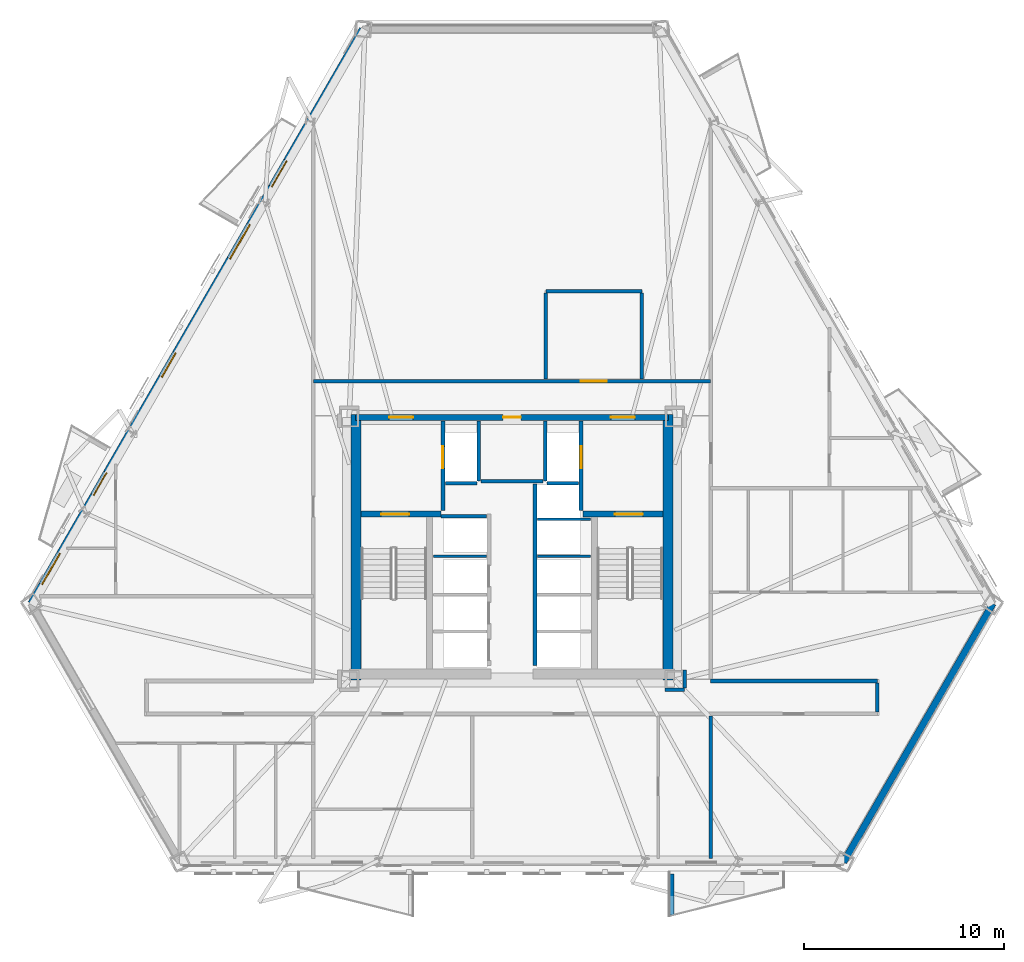
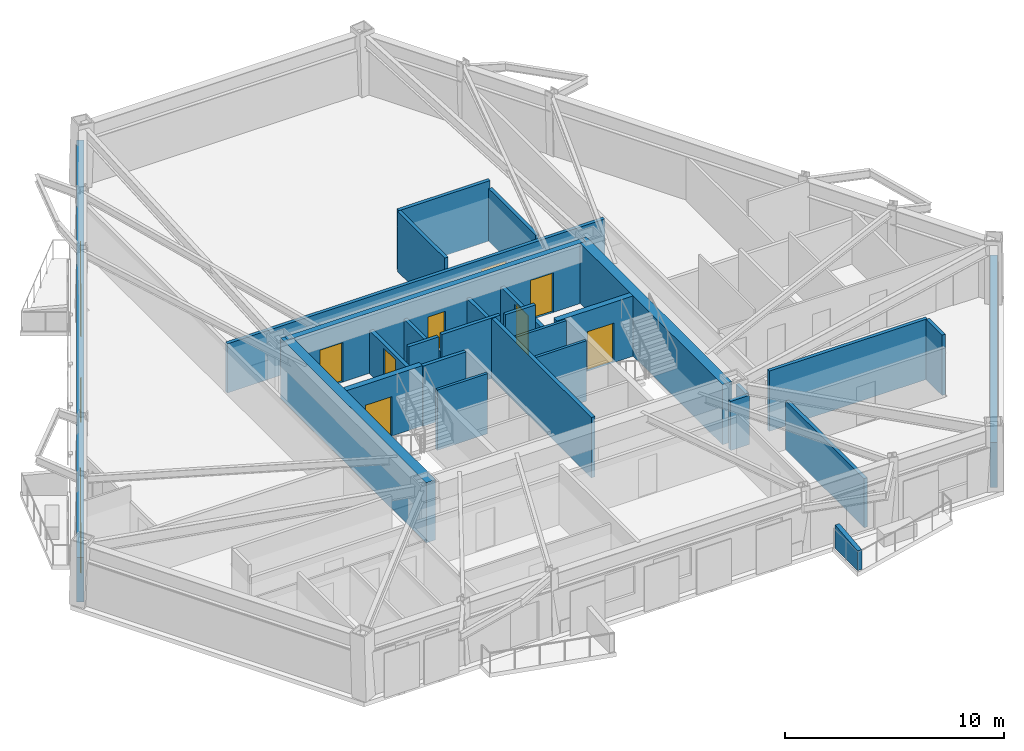
# One storey, part 4 of 12: 29 walls, 10 doors, 3 windows, 13 openings.
"""IFC4 building model written with IfcOpenShell, lengths in metres."""

from ifc_helpers import new_model, si_unit, direction, frame, frame_2d, origin, place, context, subcontext, project, spatial, polyline, rectangle, outline, extrude, material, layer, layer_set, type_object, element, fill, save


model = new_model("IFC4")

# Units and contexts
model_context = context("Model", 3, precision=1e-05, world=origin(), true_north=direction((0.0, 1.0)))
body_context = subcontext(model_context, "Body", "Model", "MODEL_VIEW")
ifc_project = project(units=[si_unit("LENGTHUNIT", "METRE"), si_unit("AREAUNIT", "SQUARE_METRE"), si_unit("VOLUMEUNIT", "CUBIC_METRE"), si_unit("PLANEANGLEUNIT", "RADIAN"), si_unit("MASSUNIT", "GRAM", prefix="KILO")], contexts=[model_context])

# Site, building, storey
site_placement = place(None, origin())
site = spatial("IfcSite", under=ifc_project, at=site_placement, CompositionType="ELEMENT")
building_placement = place(site_placement, origin())
building = spatial("IfcBuilding", under=site, at=building_placement, Name="Oramaril Tower", CompositionType="ELEMENT")
storey_placement = place(building_placement, frame((0.0, 0.0, 45.300048828125)))
storey = spatial("IfcBuildingStorey", under=building, at=storey_placement, Name="L11", CompositionType="ELEMENT", Elevation=45.300048828125)

# Wall
ifc_material_1 = material(Name="Warm Cream Limestone", Category="masonry")
ifc_layer_1 = layer(ifc_material_1, 0.340087890625)
ifc_layer_set_1 = layer_set([ifc_layer_1], Name="WT-EXT34")
wall_type_1 = type_object("IfcWallType", Name="WT-EXT34", PredefinedType="SOLIDWALL", material=ifc_layer_set_1)
wall_1_placement = place(storey_placement, frame((54.107177734375, 1.877685546875, 0.0), z_axis=(0.0, 0.0, 1.0), x_axis=(0.499989538455, 0.866031443676, 0.0)))
element("IfcWall", 1, at=wall_1_placement, inside=storey, type_object=wall_type_1, Name="L11 Tower Limestone Facade Wall 3M", PredefinedType="SOLIDWALL", context=body_context, shape_type="SweptSolid", body=[
    extrude(rectangle(XDim=14.954833984375, YDim=0.340087890625, at=frame_2d((7.4775390625, 0.0))), origin(), (0.0, 0.0, 1.0), 2.493896484375),
])

# Wall, openings, doors, windows
wall_2_placement = place(storey_placement, frame((30.022705078125, 43.59326171875, 0.0), z_axis=(0.0, 0.0, 1.0), x_axis=(-0.500004112523, -0.866023029405, 0.0)))
wall_2 = element("IfcWall", 2, at=wall_2_placement, inside=storey, type_object=wall_type_1, Name="L11 Tower Limestone Facade Wall 6M", PredefinedType="SOLIDWALL", context=body_context, shape_type="SweptSolid", body=[
    extrude(rectangle(XDim=33.214111328125, YDim=0.340087890625, at=frame_2d((16.60693359375, 0.0))), origin(), (0.0, 0.0, 1.0), 2.493896484375),
])
opening_1_placement = place(wall_2_placement, frame((7.614501953125, 0.0, 0.0)))
opening_1 = element("IfcOpeningElement", 3, at=opening_1_placement, cuts=wall_2, Name="Opening D-L11-BAL-NW1", PredefinedType="OPENING", context=body_context, shape_type="SweptSolid", body=[
    extrude(rectangle(XDim=1.5, YDim=2.199951171875, at=frame_2d((0.75, 1.10009765625))), frame((0.0, 0.169921875, 0.0), z_axis=(0.0, -1.0, 0.0), x_axis=(1.0, 0.0, 0.0)), (0.0, 0.0, 1.0), 0.340087890625),
])
opening_2_placement = place(wall_2_placement, frame((25.65478515625, 0.0, 0.0)))
opening_2 = element("IfcOpeningElement", 4, at=opening_2_placement, cuts=wall_2, Name="Opening D-L11-BAL-NW2", PredefinedType="OPENING", context=body_context, shape_type="SweptSolid", body=[
    extrude(rectangle(XDim=1.300048828125, YDim=2.199951171875, at=frame_2d((0.64990234375, 1.10009765625))), frame((0.0, 0.169921875, 0.0), z_axis=(0.0, -1.0, 0.0), x_axis=(1.0, 0.0, 0.0)), (0.0, 0.0, 1.0), 0.340087890625),
])
opening_3_placement = place(wall_2_placement, frame((11.29150390625, 0.0, 0.85009765625)))
opening_3 = element("IfcOpeningElement", 5, at=opening_3_placement, cuts=wall_2, Name="Opening WN-05", PredefinedType="OPENING", context=body_context, shape_type="SweptSolid", body=[
    extrude(rectangle(XDim=2.0, YDim=1.533935546875, at=frame_2d((1.0, 0.76708984375))), frame((0.0, 0.169921875, 0.0), z_axis=(0.0, -1.0, 0.0), x_axis=(1.0, 0.0, 0.0)), (0.0, 0.0, 1.0), 0.340087890625),
])
opening_4_placement = place(wall_2_placement, frame((18.73095703125, 0.0, 0.85009765625)))
opening_4 = element("IfcOpeningElement", 6, at=opening_4_placement, cuts=wall_2, Name="Opening WN-08", PredefinedType="OPENING", context=body_context, shape_type="SweptSolid", body=[
    extrude(rectangle(XDim=1.39990234375, YDim=1.533935546875, at=frame_2d((0.699951171875, 0.76708984375))), frame((0.0, 0.169921875, 0.0), z_axis=(0.0, -1.0, 0.0), x_axis=(1.0, 0.0, 0.0)), (0.0, 0.0, 1.0), 0.340087890625),
])
opening_5_placement = place(wall_2_placement, frame((30.31982421875, 0.0, 0.85009765625)))
opening_5 = element("IfcOpeningElement", 7, at=opening_5_placement, cuts=wall_2, Name="Opening WN-06", PredefinedType="OPENING", context=body_context, shape_type="SweptSolid", body=[
    extrude(rectangle(XDim=1.800048828125, YDim=1.533935546875, at=frame_2d((0.89990234375, 0.76708984375))), frame((0.0, 0.169921875, 0.0), z_axis=(0.0, -1.0, 0.0), x_axis=(1.0, 0.0, 0.0)), (0.0, 0.0, 1.0), 0.340087890625),
])
ifc_material_2 = material(Name="Anodised Aluminium 6063-T6", Category="aluminium")
door_type_1 = type_object("IfcDoorType", Name="DT-BAL", OperationType="NOTDEFINED", PredefinedType="DOOR", material=ifc_material_2)
door_1_placement = place(opening_1_placement, origin())
door_1 = element("IfcDoor", 8, at=door_1_placement, inside=storey, type_object=door_type_1, Name="L11 Balcony Glazed Door L11-BAL-NW1", OperationType="SINGLE_SWING_RIGHT", OverallHeight=2.199951171875, OverallWidth=1.5, PredefinedType="DOOR", context=body_context, shape_type="SweptSolid", body=[
    extrude(rectangle(XDim=1.5, YDim=2.199951171875, at=frame_2d((0.75, 1.10009765625))), frame((0.0, 0.02490234375, 0.0), z_axis=(0.0, -1.0, 0.0), x_axis=(1.0, 0.0, 0.0)), (0.0, 0.0, 1.0), 0.050048828125),
])
fill(opening_1, door_1)
ifc_material_3 = material(Name="Anodised Aluminium 6063-T6", Category="aluminium")
door_type_2 = type_object("IfcDoorType", Name="DT-E2", OperationType="NOTDEFINED", PredefinedType="DOOR", material=ifc_material_3)
door_2_placement = place(opening_2_placement, origin())
door_2 = element("IfcDoor", 9, at=door_2_placement, inside=storey, type_object=door_type_2, Name="L11 Balcony Glazed Door L11-BAL-NW2", OperationType="SINGLE_SWING_LEFT", OverallHeight=2.199951171875, OverallWidth=1.300048828125, PredefinedType="DOOR", context=body_context, shape_type="SweptSolid", body=[
    extrude(rectangle(XDim=1.300048828125, YDim=2.199951171875, at=frame_2d((0.64990234375, 1.10009765625))), frame((0.0, 0.02490234375, 0.0), z_axis=(0.0, -1.0, 0.0), x_axis=(1.0, 0.0, 0.0)), (0.0, 0.0, 1.0), 0.050048828125),
])
fill(opening_2, door_2)
ifc_material_4 = material(Name="Coastal Low-E Insulated Glass", Category="glass")
window_type_1 = type_object("IfcWindowType", Name="WNT-05", PartitioningType="SINGLE_PANEL", PredefinedType="WINDOW", material=ifc_material_4)
window_1_placement = place(opening_3_placement, origin())
window_1 = element("IfcWindow", 10, at=window_1_placement, inside=storey, type_object=window_type_1, Name="L11 Chicago Bay Window WN-05", OverallHeight=1.533935546875, OverallWidth=2.0, PartitioningType="SINGLE_PANEL", PredefinedType="WINDOW", context=body_context, shape_type="SweptSolid", body=[
    extrude(rectangle(XDim=2.0, YDim=1.533935546875, at=frame_2d((1.0, 0.76708984375))), frame((0.0, 0.030029296875, 0.0), z_axis=(0.0, -1.0, 0.0), x_axis=(1.0, 0.0, 0.0)), (0.0, 0.0, 1.0), 0.06005859375),
])
fill(opening_3, window_1)
ifc_material_5 = material(Name="Coastal Low-E Insulated Glass", Category="glass")
window_type_2 = type_object("IfcWindowType", Name="WNT-06", PartitioningType="SINGLE_PANEL", PredefinedType="WINDOW", material=ifc_material_5)
window_2_placement = place(opening_5_placement, origin())
window_2 = element("IfcWindow", 11, at=window_2_placement, inside=storey, type_object=window_type_2, Name="L11 Chicago Bay Window WN-06", OverallHeight=1.533935546875, OverallWidth=1.800048828125, PartitioningType="SINGLE_PANEL", PredefinedType="WINDOW", context=body_context, shape_type="SweptSolid", body=[
    extrude(rectangle(XDim=1.800048828125, YDim=1.533935546875, at=frame_2d((0.89990234375, 0.76708984375))), frame((0.0, 0.030029296875, 0.0), z_axis=(0.0, -1.0, 0.0), x_axis=(1.0, 0.0, 0.0)), (0.0, 0.0, 1.0), 0.06005859375),
])
fill(opening_5, window_2)
ifc_material_6 = material(Name="Coastal Low-E Insulated Glass", Category="glass")
window_type_3 = type_object("IfcWindowType", Name="WNT-08", PartitioningType="SINGLE_PANEL", PredefinedType="WINDOW", material=ifc_material_6)
window_3_placement = place(opening_4_placement, origin())
window_3 = element("IfcWindow", 12, at=window_3_placement, inside=storey, type_object=window_type_3, Name="L11 Chicago Bay Window WN-08", OverallHeight=1.533935546875, OverallWidth=1.39990234375, PartitioningType="SINGLE_PANEL", PredefinedType="WINDOW", context=body_context, shape_type="SweptSolid", body=[
    extrude(rectangle(XDim=1.39990234375, YDim=1.533935546875, at=frame_2d((0.699951171875, 0.76708984375))), frame((0.0, 0.030029296875, 0.0), z_axis=(0.0, -1.0, 0.0), x_axis=(1.0, 0.0, 0.0)), (0.0, 0.0, 1.0), 0.06005859375),
])
fill(opening_4, window_3)

# Walls
ifc_material_7 = material(Name="Concrete C40/50", Category="concrete")
ifc_layer_2 = layer(ifc_material_7, 0.22998046875)
ifc_layer_set_2 = layer_set([ifc_layer_2], Name="WT-PRP23")
wall_type_2 = type_object("IfcWallType", Name="WT-PRP23", PredefinedType="PARAPET", material=ifc_layer_set_2)
wall_3_placement = place(storey_placement, frame((45.502685546875, 1.27978515625, 0.0), z_axis=(0.0, 0.0, 1.0), x_axis=(0.0, -1.0, 0.0)))
element("IfcWall", 13, at=wall_3_placement, inside=storey, type_object=wall_type_2, Name="L11 Trapezoidal Balcony Frame Cheek L11-BAL-S2-L", PredefinedType="PARAPET", context=body_context, shape_type="SweptSolid", body=[
    extrude(outline(polyline([(0.0, 0.0), (2.0419921875, 0.0), (2.0419921875, 1.099853515625), (0.0, 1.320068359375), (0.0, 0.0)])), frame((0.0, 0.114990234375, 0.0), z_axis=(0.0, -1.0, 0.0), x_axis=(1.0, 0.0, 0.0)), (0.0, 0.0, 1.0), 0.22998046875),
])
ifc_material_8 = material(Name="Acoustic Gypsum Board Partition")
ifc_layer_3 = layer(ifc_material_8, 0.139892578125)
ifc_layer_set_3 = layer_set([ifc_layer_3], Name="WT-PT14")
wall_type_3 = type_object("IfcWallType", Name="WT-PT14", PredefinedType="PARTITIONING", material=ifc_layer_set_3)
for number, where, z_axis, x_axis, name in (
    (14, (33.56005859375, 17.199951171875, 0.0), (0.0, 0.0, 1.0), (1.0, 0.0, 0.0), "L11 West Lift Divider"),
    (15, (38.780029296875, 17.199951171875, 0.0), (0.0, 0.0, 1.0), (1.0, 0.0, 0.0), "L11 East Lift Divider"),
    (16, (38.780029296875, 19.050048828125, 0.0), (0.0, 0.0, 1.0), (1.0, 0.0, 0.0), "L11 East Lift Divider"),
):
    element("IfcWall", number, at=place(storey_placement, frame(where, z_axis=z_axis, x_axis=x_axis)), inside=storey, type_object=wall_type_3, Name=name, PredefinedType="PARTITIONING", context=body_context, shape_type="SweptSolid", body=[
        extrude(rectangle(XDim=2.659912109375, YDim=0.139892578125, at=frame_2d((1.330078125, 0.0))), origin(), (0.0, 0.0, 1.0), 3.35986328125),
    ])
ifc_material_9 = material(Name="Autoclaved Cellular Concrete Block", Category="concrete")
ifc_layer_4 = layer(ifc_material_9, 0.179931640625)
ifc_layer_set_4 = layer_set([ifc_layer_4], Name="WT-PT18")
wall_type_4 = type_object("IfcWallType", Name="WT-PT18", PredefinedType="PARTITIONING", material=ifc_layer_set_4)
wall_4_placement = place(storey_placement, frame((35.840087890625, 20.9599609375, 0.0), z_axis=(0.0, 0.0, 1.0), x_axis=(0.0, 1.0, 0.0)))
element("IfcWall", 17, at=wall_4_placement, inside=storey, type_object=wall_type_4, Name="L11 FL-1 East Shaft Wall", PredefinedType="PARTITIONING", context=body_context, shape_type="SweptSolid", body=[
    extrude(rectangle(XDim=3.02001953125, YDim=0.179931640625, at=frame_2d((1.510009765625, 0.0))), origin(), (0.0, 0.0, 1.0), 2.39990234375),
])
wall_5_placement = place(storey_placement, frame((34.159912109375, 20.860107421875, 0.0), z_axis=(0.0, 0.0, 1.0), x_axis=(1.0, 0.0, 0.0)))
element("IfcWall", 18, at=wall_5_placement, inside=storey, type_object=wall_type_4, Name="L11 FL-1 South Shaft Wall", PredefinedType="PARTITIONING", context=body_context, shape_type="SweptSolid", body=[
    extrude(rectangle(XDim=1.580078125, YDim=0.179931640625, at=frame_2d((0.7900390625, 0.0))), origin(), (0.0, 0.0, 1.0), 3.35986328125),
])
wall_6_placement = place(storey_placement, frame((39.159912109375, 20.9599609375, 0.0), z_axis=(0.0, 0.0, 1.0), x_axis=(0.0, 1.0, 0.0)))
element("IfcWall", 19, at=wall_6_placement, inside=storey, type_object=wall_type_4, Name="L11 FL-2 West Shaft Wall", PredefinedType="PARTITIONING", context=body_context, shape_type="SweptSolid", body=[
    extrude(rectangle(XDim=3.02001953125, YDim=0.179931640625, at=frame_2d((1.510009765625, 0.0))), origin(), (0.0, 0.0, 1.0), 2.39990234375),
])
wall_7_placement = place(storey_placement, frame((39.260009765625, 20.860107421875, 0.0), z_axis=(0.0, 0.0, 1.0), x_axis=(1.0, 0.0, 0.0)))
element("IfcWall", 20, at=wall_7_placement, inside=storey, type_object=wall_type_4, Name="L11 FL-2 South Shaft Wall", PredefinedType="PARTITIONING", context=body_context, shape_type="SweptSolid", body=[
    extrude(rectangle(XDim=1.580078125, YDim=0.179931640625, at=frame_2d((0.7900390625, 0.0))), origin(), (0.0, 0.0, 1.0), 3.35986328125),
])
wall_8_placement = place(storey_placement, frame((33.949951171875, 19.199951171875, 0.0), z_axis=(0.0, 0.0, 1.0), x_axis=(1.0, 0.0, 0.0)))
element("IfcWall", 21, at=wall_8_placement, inside=storey, type_object=wall_type_4, Name="L11 High-Rise Lift H1 North Shaft Wall", PredefinedType="PARTITIONING", context=body_context, shape_type="SweptSolid", body=[
    extrude(rectangle(XDim=2.27001953125, YDim=0.179931640625, at=frame_2d((1.135009765625, 0.0))), origin(), (0.0, 0.0, 1.0), 3.35986328125),
])
wall_9_placement = place(storey_placement, frame((35.949951171875, 20.949951171875, 0.0), z_axis=(0.0, 0.0, 1.0), x_axis=(1.0, 0.0, 0.0)))
element("IfcWall", 22, at=wall_9_placement, inside=storey, type_object=wall_type_4, Name="L11 Lift Lobby North Partition", PredefinedType="PARTITIONING", context=body_context, shape_type="SweptSolid", body=[
    extrude(rectangle(XDim=3.10009765625, YDim=0.179931640625, at=frame_2d((1.550048828125, 0.0))), origin(), (0.0, 0.0, 1.0), 3.35986328125),
])
wall_10_placement = place(storey_placement, frame((45.159912109375, 10.510009765625, 0.0), z_axis=(0.0, 0.0, 1.0), x_axis=(1.0, 0.0, 0.0)))
element("IfcWall", 23, at=wall_10_placement, inside=storey, type_object=wall_type_4, Name="L11 Interior Partition PT-18", PredefinedType="PARTITIONING", context=body_context, shape_type="SweptSolid", body=[
    extrude(rectangle(XDim=0.97998046875, YDim=0.179931640625, at=frame_2d((0.489990234375, 0.0))), origin(), (0.0, 0.0, 1.0), 2.738037109375),
])
wall_11_placement = place(storey_placement, frame((47.449951171875, 10.949951171875, 0.0), z_axis=(0.0, 0.0, 1.0), x_axis=(1.0, 0.0, 0.0)))
element("IfcWall", 24, at=wall_11_placement, inside=storey, type_object=wall_type_4, Name="L11 Interior Partition PT-18", PredefinedType="PARTITIONING", context=body_context, shape_type="SweptSolid", body=[
    extrude(rectangle(XDim=8.35009765625, YDim=0.179931640625, at=frame_2d((4.175048828125, 0.0))), origin(), (0.0, 0.0, 1.0), 3.35986328125),
])

# Wall, opening, door
wall_12_placement = place(storey_placement, frame((27.550048828125, 25.969970703125, 0.0), z_axis=(0.0, 0.0, 1.0), x_axis=(1.0, 0.0, 0.0)))
wall_12 = element("IfcWall", 25, at=wall_12_placement, inside=storey, type_object=wall_type_4, Name="L11 Interior Partition PT-18", PredefinedType="PARTITIONING", context=body_context, shape_type="SweptSolid", body=[
    extrude(rectangle(XDim=19.89990234375, YDim=0.179931640625, at=frame_2d((9.949951171875, 0.0))), origin(), (0.0, 0.0, 1.0), 2.738037109375),
])
opening_6_placement = place(wall_12_placement, frame((13.39990234375, 0.0, 0.0)))
opening_6 = element("IfcOpeningElement", 26, at=opening_6_placement, cuts=wall_12, Name="Opening D-L11-15", PredefinedType="OPENING", context=body_context, shape_type="SweptSolid", body=[
    extrude(rectangle(XDim=1.300048828125, YDim=2.199951171875, at=frame_2d((0.64990234375, 1.10009765625))), frame((0.0, 0.08984375, 0.0), z_axis=(0.0, -1.0, 0.0), x_axis=(1.0, 0.0, 0.0)), (0.0, 0.0, 1.0), 0.179931640625),
])
ifc_material_10 = material(Name="FSC Brazilian Freijo Hardwood", Category="wood")
door_type_3 = type_object("IfcDoorType", Name="DT-COM", OperationType="NOTDEFINED", PredefinedType="DOOR", material=ifc_material_10)
door_3_placement = place(opening_6_placement, origin())
door_3 = element("IfcDoor", 27, at=door_3_placement, inside=storey, type_object=door_type_3, Name="L11 L11 Residents Floor Meeting Suite Door D-L11-15", OperationType="SINGLE_SWING_RIGHT", OverallHeight=2.199951171875, OverallWidth=1.300048828125, PredefinedType="DOOR", context=body_context, shape_type="SweptSolid", body=[
    extrude(rectangle(XDim=1.300048828125, YDim=2.199951171875, at=frame_2d((0.64990234375, 1.10009765625))), frame((0.0, 0.02490234375, 0.0), z_axis=(0.0, -1.0, 0.0), x_axis=(1.0, 0.0, 0.0)), (0.0, 0.0, 1.0), 0.050048828125),
])
fill(opening_6, door_3)

# Walls
wall_13_placement = place(storey_placement, frame((39.199951171875, 30.469970703125, 0.0), z_axis=(0.0, 0.0, 1.0), x_axis=(1.0, 0.0, 0.0)))
element("IfcWall", 28, at=wall_13_placement, inside=storey, type_object=wall_type_4, Name="L11 Interior Partition PT-18", PredefinedType="PARTITIONING", context=body_context, shape_type="SweptSolid", body=[
    extrude(rectangle(XDim=4.800048828125, YDim=0.179931640625, at=frame_2d((2.39990234375, 0.0))), origin(), (0.0, 0.0, 1.0), 3.35986328125),
])
wall_14_placement = place(storey_placement, frame((39.199951171875, 26.06396484375, 0.0), z_axis=(0.0, 0.0, 1.0), x_axis=(0.0, 1.0, 0.0)))
element("IfcWall", 29, at=wall_14_placement, inside=storey, type_object=wall_type_4, Name="L11 Interior Partition PT-18", PredefinedType="PARTITIONING", context=body_context, shape_type="SweptSolid", body=[
    extrude(rectangle(XDim=4.31201171875, YDim=0.179931640625, at=frame_2d((2.156005859375, 0.0))), origin(), (0.0, 0.0, 1.0), 3.35986328125),
])
wall_15_placement = place(storey_placement, frame((44.0, 26.06396484375, 0.0), z_axis=(0.0, 0.0, 1.0), x_axis=(0.0, 1.0, 0.0)))
element("IfcWall", 30, at=wall_15_placement, inside=storey, type_object=wall_type_4, Name="L11 Interior Partition PT-18", PredefinedType="PARTITIONING", context=body_context, shape_type="SweptSolid", body=[
    extrude(rectangle(XDim=4.31201171875, YDim=0.179931640625, at=frame_2d((2.156005859375, 0.0))), origin(), (0.0, 0.0, 1.0), 2.946044921875),
])
wall_16_placement = place(storey_placement, frame((46.14990234375, 10.60400390625, 0.0), z_axis=(0.0, 0.0, 1.0), x_axis=(0.0, 1.0, 0.0)))
element("IfcWall", 31, at=wall_16_placement, inside=storey, type_object=wall_type_4, Name="L11 Interior Partition PT-18", PredefinedType="PARTITIONING", context=body_context, shape_type="SweptSolid", body=[
    extrude(rectangle(XDim=0.89111328125, YDim=0.179931640625, at=frame_2d((0.445556640625, 0.0))), origin(), (0.0, 0.0, 1.0), 2.738037109375),
])
wall_17_placement = place(storey_placement, frame((47.449951171875, 2.0517578125, 0.0), z_axis=(0.0, 0.0, 1.0), x_axis=(0.0, 1.0, 0.0)))
element("IfcWall", 32, at=wall_17_placement, inside=storey, type_object=wall_type_4, Name="L11 Interior Partition PT-18", PredefinedType="PARTITIONING", context=body_context, shape_type="SweptSolid", body=[
    extrude(rectangle(XDim=7.154296875, YDim=0.179931640625, at=frame_2d((3.5771484375, 0.0))), origin(), (0.0, 0.0, 1.0), 2.738037109375),
])
wall_18_placement = place(storey_placement, frame((55.800048828125, 9.39404296875, 0.0), z_axis=(0.0, 0.0, 1.0), x_axis=(0.0, 1.0, 0.0)))
element("IfcWall", 33, at=wall_18_placement, inside=storey, type_object=wall_type_4, Name="L11 Interior Partition PT-18", PredefinedType="PARTITIONING", context=body_context, shape_type="SweptSolid", body=[
    extrude(rectangle(XDim=1.4619140625, YDim=0.179931640625, at=frame_2d((0.73095703125, 0.0))), origin(), (0.0, 0.0, 1.0), 3.35986328125),
])

# Wall, openings, doors
ifc_material_11 = material(Name="Concrete C50/60", Category="concrete")
ifc_layer_5 = layer(ifc_material_11, 0.300048828125)
ifc_layer_set_5 = layer_set([ifc_layer_5], Name="WT-SH30")
wall_type_5 = type_object("IfcWallType", Name="WT-SH30", PredefinedType="SHEAR", material=ifc_layer_set_5)
wall_19_placement = place(storey_placement, frame((29.64990234375, 24.14990234375, 0.0), z_axis=(0.0, 0.0, 1.0), x_axis=(1.0, 0.0, 0.0)))
wall_19 = element("IfcWall", 34, at=wall_19_placement, inside=storey, type_object=wall_type_5, Name="L11 Core Shear Wall CW-N", PredefinedType="SHEAR", context=body_context, shape_type="SweptSolid", body=[
    extrude(rectangle(XDim=15.7001953125, YDim=0.300048828125, at=frame_2d((7.85009765625, 0.0))), origin(), (0.0, 0.0, 1.0), 3.35986328125),
])
opening_7_placement = place(wall_19_placement, frame((1.699951171875, 0.0, 0.0)))
opening_7 = element("IfcOpeningElement", 35, at=opening_7_placement, cuts=wall_19, Name="Opening D-L11-FFL1", PredefinedType="OPENING", context=body_context, shape_type="SweptSolid", body=[
    extrude(rectangle(XDim=1.199951171875, YDim=2.199951171875, at=frame_2d((0.60009765625, 1.10009765625))), frame((0.0, 0.14990234375, 0.0), z_axis=(0.0, -1.0, 0.0), x_axis=(1.0, 0.0, 0.0)), (0.0, 0.0, 1.0), 0.300048828125),
])
opening_8_placement = place(wall_19_placement, frame((12.800048828125, 0.0, 0.0)))
opening_8 = element("IfcOpeningElement", 36, at=opening_8_placement, cuts=wall_19, Name="Opening D-L11-FFL2", PredefinedType="OPENING", context=body_context, shape_type="SweptSolid", body=[
    extrude(rectangle(XDim=1.199951171875, YDim=2.199951171875, at=frame_2d((0.60009765625, 1.10009765625))), frame((0.0, 0.14990234375, 0.0), z_axis=(0.0, -1.0, 0.0), x_axis=(1.0, 0.0, 0.0)), (0.0, 0.0, 1.0), 0.300048828125),
])
opening_9_placement = place(wall_19_placement, frame((7.39990234375, 0.0, 0.0)))
opening_9 = element("IfcOpeningElement", 37, at=opening_9_placement, cuts=wall_19, Name="Opening D-L11-SV1", PredefinedType="OPENING", context=body_context, shape_type="SweptSolid", body=[
    extrude(rectangle(XDim=0.89990234375, YDim=2.050048828125, at=frame_2d((0.449951171875, 1.02490234375))), frame((0.0, 0.14990234375, 0.0), z_axis=(0.0, -1.0, 0.0), x_axis=(1.0, 0.0, 0.0)), (0.0, 0.0, 1.0), 0.300048828125),
])
ifc_material_12 = material(Name="Painted Galvanised Steel", Category="steel")
door_type_4 = type_object("IfcDoorType", Name="DT-FFL", OperationType="NOTDEFINED", PredefinedType="DOOR", material=ifc_material_12)
door_4_placement = place(opening_7_placement, origin())
door_4 = element("IfcDoor", 38, at=door_4_placement, inside=storey, type_object=door_type_4, Name="L11 Firefighting Lobby 1 Fire Door", OperationType="SINGLE_SWING_LEFT", OverallHeight=2.199951171875, OverallWidth=1.199951171875, PredefinedType="DOOR", context=body_context, shape_type="SweptSolid", body=[
    extrude(rectangle(XDim=1.199951171875, YDim=2.199951171875, at=frame_2d((0.60009765625, 1.10009765625))), frame((0.0, 0.02490234375, 0.0), z_axis=(0.0, -1.0, 0.0), x_axis=(1.0, 0.0, 0.0)), (0.0, 0.0, 1.0), 0.050048828125),
])
fill(opening_7, door_4)
door_5_placement = place(opening_8_placement, origin())
door_5 = element("IfcDoor", 39, at=door_5_placement, inside=storey, type_object=door_type_4, Name="L11 Firefighting Lobby 2 Fire Door", OperationType="SINGLE_SWING_RIGHT", OverallHeight=2.199951171875, OverallWidth=1.199951171875, PredefinedType="DOOR", context=body_context, shape_type="SweptSolid", body=[
    extrude(rectangle(XDim=1.199951171875, YDim=2.199951171875, at=frame_2d((0.60009765625, 1.10009765625))), frame((0.0, 0.02490234375, 0.0), z_axis=(0.0, -1.0, 0.0), x_axis=(1.0, 0.0, 0.0)), (0.0, 0.0, 1.0), 0.050048828125),
])
fill(opening_8, door_5)
ifc_material_13 = material(Name="Painted Galvanised Steel", Category="steel")
door_type_5 = type_object("IfcDoorType", Name="DT-SVC", OperationType="NOTDEFINED", PredefinedType="DOOR", material=ifc_material_13)
door_6_placement = place(opening_9_placement, origin())
door_6 = element("IfcDoor", 40, at=door_6_placement, inside=storey, type_object=door_type_5, Name="L11 Core Janitor Store Door", OperationType="SINGLE_SWING_LEFT", OverallHeight=2.050048828125, OverallWidth=0.89990234375, PredefinedType="DOOR", context=body_context, shape_type="SweptSolid", body=[
    extrude(rectangle(XDim=0.89990234375, YDim=2.050048828125, at=frame_2d((0.449951171875, 1.02490234375))), frame((0.0, 0.02490234375, 0.0), z_axis=(0.0, -1.0, 0.0), x_axis=(1.0, 0.0, 0.0)), (0.0, 0.0, 1.0), 0.050048828125),
])
fill(opening_9, door_6)

# Wall, opening, door
wall_20_placement = place(storey_placement, frame((29.93994140625, 19.31005859375, 0.0), z_axis=(0.0, 0.0, 1.0), x_axis=(1.0, 0.0, 0.0)))
wall_20 = element("IfcWall", 41, at=wall_20_placement, inside=storey, type_object=wall_type_5, Name="L11 Core Shear Wall CW-ST1N", PredefinedType="SHEAR", context=body_context, shape_type="SweptSolid", body=[
    extrude(rectangle(XDim=4.010009765625, YDim=0.300048828125, at=frame_2d((2.0048828125, 0.0))), origin(), (0.0, 0.0, 1.0), 3.35986328125),
])
opening_10_placement = place(wall_20_placement, frame((1.010009765625, 0.0, 0.0)))
opening_10 = element("IfcOpeningElement", 42, at=opening_10_placement, cuts=wall_20, Name="Opening D-L11-ST1", PredefinedType="OPENING", context=body_context, shape_type="SweptSolid", body=[
    extrude(rectangle(XDim=1.39990234375, YDim=2.199951171875, at=frame_2d((0.699951171875, 1.10009765625))), frame((0.0, 0.14990234375, 0.0), z_axis=(0.0, -1.0, 0.0), x_axis=(1.0, 0.0, 0.0)), (0.0, 0.0, 1.0), 0.300048828125),
])
ifc_material_14 = material(Name="Painted Galvanised Steel", Category="steel")
door_type_6 = type_object("IfcDoorType", Name="DT-ST", OperationType="NOTDEFINED", PredefinedType="DOOR", material=ifc_material_14)
door_7_placement = place(opening_10_placement, origin())
door_7 = element("IfcDoor", 43, at=door_7_placement, inside=storey, type_object=door_type_6, Name="L11 Protected Stair ST-1 Fire Door", OperationType="SINGLE_SWING_LEFT", OverallHeight=2.199951171875, OverallWidth=1.39990234375, PredefinedType="DOOR", context=body_context, shape_type="SweptSolid", body=[
    extrude(rectangle(XDim=1.39990234375, YDim=2.199951171875, at=frame_2d((0.699951171875, 1.10009765625))), frame((0.0, 0.02490234375, 0.0), z_axis=(0.0, -1.0, 0.0), x_axis=(1.0, 0.0, 0.0)), (0.0, 0.0, 1.0), 0.050048828125),
])
fill(opening_10, door_7)

wall_21_placement = place(storey_placement, frame((41.050048828125, 19.31005859375, 0.0), z_axis=(0.0, 0.0, 1.0), x_axis=(1.0, 0.0, 0.0)))
wall_21 = element("IfcWall", 44, at=wall_21_placement, inside=storey, type_object=wall_type_5, Name="L11 Core Shear Wall CW-ST2N", PredefinedType="SHEAR", context=body_context, shape_type="SweptSolid", body=[
    extrude(rectangle(XDim=4.010009765625, YDim=0.300048828125, at=frame_2d((2.0048828125, 0.0))), origin(), (0.0, 0.0, 1.0), 3.35986328125),
])
opening_11_placement = place(wall_21_placement, frame((1.60009765625, 0.0, 0.0)))
opening_11 = element("IfcOpeningElement", 45, at=opening_11_placement, cuts=wall_21, Name="Opening D-L11-ST2", PredefinedType="OPENING", context=body_context, shape_type="SweptSolid", body=[
    extrude(rectangle(XDim=1.39990234375, YDim=2.199951171875, at=frame_2d((0.699951171875, 1.10009765625))), frame((0.0, 0.14990234375, 0.0), z_axis=(0.0, -1.0, 0.0), x_axis=(1.0, 0.0, 0.0)), (0.0, 0.0, 1.0), 0.300048828125),
])
door_8_placement = place(opening_11_placement, origin())
door_8 = element("IfcDoor", 46, at=door_8_placement, inside=storey, type_object=door_type_6, Name="L11 Protected Stair ST-2 Fire Door", OperationType="SINGLE_SWING_RIGHT", OverallHeight=2.199951171875, OverallWidth=1.39990234375, PredefinedType="DOOR", context=body_context, shape_type="SweptSolid", body=[
    extrude(rectangle(XDim=1.39990234375, YDim=2.199951171875, at=frame_2d((0.699951171875, 1.10009765625))), frame((0.0, 0.02490234375, 0.0), z_axis=(0.0, -1.0, 0.0), x_axis=(1.0, 0.0, 0.0)), (0.0, 0.0, 1.0), 0.050048828125),
])
fill(opening_11, door_8)

# Walls
ifc_material_15 = material(Name="Concrete C50/60", Category="concrete")
ifc_layer_6 = layer(ifc_material_15, 0.5)
ifc_layer_set_6 = layer_set([ifc_layer_6], Name="WT-SH50")
wall_type_6 = type_object("IfcWallType", Name="WT-SH50", PredefinedType="SHEAR", material=ifc_layer_set_6)
for number, where, z_axis, x_axis, name in (
    (47, (29.68994140625, 11.0, 0.0), (0.0, 0.0, 1.0), (0.0, 1.0, 0.0), "L11 Core Shear Wall CW-W"),
    (48, (45.31005859375, 11.0, 0.0), (0.0, 0.0, 1.0), (0.0, 1.0, 0.0), "L11 Core Shear Wall CW-E"),
):
    element("IfcWall", number, at=place(storey_placement, frame(where, z_axis=z_axis, x_axis=x_axis)), inside=storey, type_object=wall_type_6, Name=name, PredefinedType="SHEAR", context=body_context, shape_type="SweptSolid", body=[
        extrude(rectangle(XDim=13.300048828125, YDim=0.5, at=frame_2d((6.64990234375, 0.0))), origin(), (0.0, 0.0, 1.0), 3.35986328125),
    ])

# Wall, opening, door
ifc_material_16 = material(Name="Autoclaved Cellular Concrete Block", Category="concrete")
ifc_layer_7 = layer(ifc_material_16, 0.199951171875)
ifc_layer_set_7 = layer_set([ifc_layer_7], Name="WT-SHF20")
wall_type_7 = type_object("IfcWallType", Name="WT-SHF20", PredefinedType="PARTITIONING", material=ifc_layer_set_7)
wall_22_placement = place(storey_placement, frame((34.0400390625, 19.47998046875, 0.0), z_axis=(0.0, 0.0, 1.0), x_axis=(0.0, 1.0, 0.0)))
wall_22 = element("IfcWall", 49, at=wall_22_placement, inside=storey, type_object=wall_type_7, Name="L11 FL-1 Lobby Shaft Wall", PredefinedType="PARTITIONING", context=body_context, shape_type="SweptSolid", body=[
    extrude(rectangle(XDim=4.5, YDim=0.199951171875, at=frame_2d((2.25, 0.0))), origin(), (0.0, 0.0, 1.0), 2.39990234375),
])
opening_12_placement = place(wall_22_placement, frame((2.1201171875, 0.0, 0.0)))
opening_12 = element("IfcOpeningElement", 50, at=opening_12_placement, cuts=wall_22, Name="Opening LD-L11-FL-1", PredefinedType="OPENING", context=body_context, shape_type="SweptSolid", body=[
    extrude(rectangle(XDim=1.10009765625, YDim=2.199951171875, at=frame_2d((0.550048828125, 1.10009765625))), frame((0.0, 0.10009765625, 0.0), z_axis=(0.0, -1.0, 0.0), x_axis=(1.0, 0.0, 0.0)), (0.0, 0.0, 1.0), 0.199951171875),
])
ifc_material_17 = material(Name="Stainless Steel 316L", Category="steel")
door_type_7 = type_object("IfcDoorType", Name="DT-LD1", OperationType="NOTDEFINED", PredefinedType="DOOR", material=ifc_material_17)
door_9_placement = place(opening_12_placement, origin())
door_9 = element("IfcDoor", 51, at=door_9_placement, inside=storey, type_object=door_type_7, Name="L11 Lift FL-1 Sliding Landing Door", OperationType="SLIDING_TO_LEFT", OverallHeight=2.199951171875, OverallWidth=1.10009765625, PredefinedType="DOOR", context=body_context, shape_type="SweptSolid", body=[
    extrude(rectangle(XDim=1.10009765625, YDim=2.199951171875, at=frame_2d((0.550048828125, 1.10009765625))), frame((0.0, 0.02490234375, 0.0), z_axis=(0.0, -1.0, 0.0), x_axis=(1.0, 0.0, 0.0)), (0.0, 0.0, 1.0), 0.050048828125),
])
fill(opening_12, door_9)

wall_23_placement = place(storey_placement, frame((40.9599609375, 19.47998046875, 0.0), z_axis=(0.0, 0.0, 1.0), x_axis=(0.0, 1.0, 0.0)))
wall_23 = element("IfcWall", 52, at=wall_23_placement, inside=storey, type_object=wall_type_7, Name="L11 FL-2 Lobby Shaft Wall", PredefinedType="PARTITIONING", context=body_context, shape_type="SweptSolid", body=[
    extrude(rectangle(XDim=4.5, YDim=0.199951171875, at=frame_2d((2.25, 0.0))), origin(), (0.0, 0.0, 1.0), 2.39990234375),
])
opening_13_placement = place(wall_23_placement, frame((2.1201171875, 0.0, 0.0)))
opening_13 = element("IfcOpeningElement", 53, at=opening_13_placement, cuts=wall_23, Name="Opening LD-L11-FL-2", PredefinedType="OPENING", context=body_context, shape_type="SweptSolid", body=[
    extrude(rectangle(XDim=1.10009765625, YDim=2.199951171875, at=frame_2d((0.550048828125, 1.10009765625))), frame((0.0, 0.10009765625, 0.0), z_axis=(0.0, -1.0, 0.0), x_axis=(1.0, 0.0, 0.0)), (0.0, 0.0, 1.0), 0.199951171875),
])
door_10_placement = place(opening_13_placement, origin())
door_10 = element("IfcDoor", 54, at=door_10_placement, inside=storey, type_object=door_type_7, Name="L11 Lift FL-2 Sliding Landing Door", OperationType="SLIDING_TO_RIGHT", OverallHeight=2.199951171875, OverallWidth=1.10009765625, PredefinedType="DOOR", context=body_context, shape_type="SweptSolid", body=[
    extrude(rectangle(XDim=1.10009765625, YDim=2.199951171875, at=frame_2d((0.550048828125, 1.10009765625))), frame((0.0, 0.02490234375, 0.0), z_axis=(0.0, -1.0, 0.0), x_axis=(1.0, 0.0, 0.0)), (0.0, 0.0, 1.0), 0.050048828125),
])
fill(opening_13, door_10)

# Wall
wall_24_placement = place(storey_placement, frame((38.659912109375, 11.719970703125, 0.0), z_axis=(0.0, 0.0, 1.0), x_axis=(0.0, 1.0, 0.0)))
element("IfcWall", 55, at=wall_24_placement, inside=storey, type_object=wall_type_7, Name="L11 East Lift Bank Front Wall", PredefinedType="PARTITIONING", context=body_context, shape_type="SweptSolid", body=[
    extrude(rectangle(XDim=9.10009765625, YDim=0.199951171875, at=frame_2d((4.550048828125, 0.0))), origin(), (0.0, 0.0, 1.0), 3.35986328125),
])

save(model, "model.ifc")
